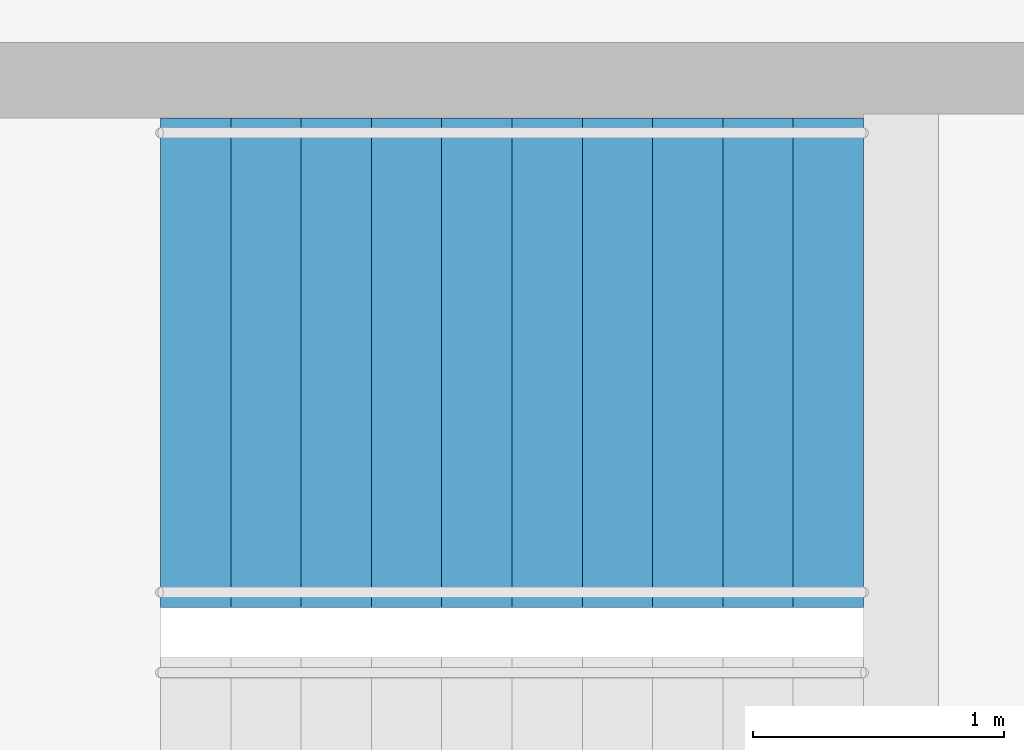
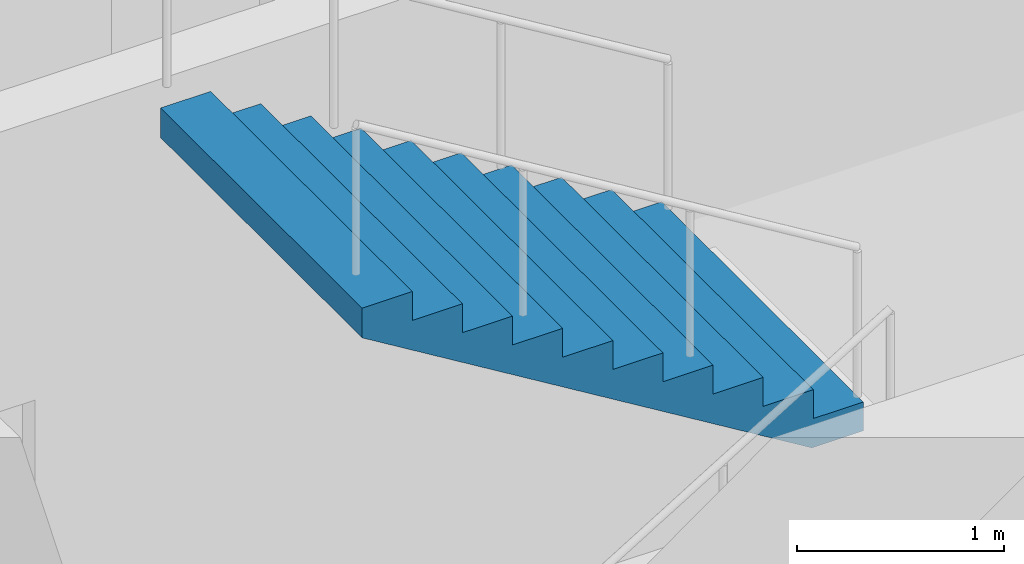
# One storey, part 20 of 23: 1 stair flight, 1 element without a shape of its own.
"""IFC4 building model written with IfcOpenShell, lengths in metres."""

from ifc_helpers import new_model, si_unit, direction, frame, origin, place, context, subcontext, project, spatial, triangles, material, type_object, element, aggregate, save


model = new_model("IFC4")

# Units and contexts
model_context = context("Model", 3, precision=1e-05, world=origin(), true_north=direction((0.0, 1.0)))
body_context = subcontext(model_context, "Body", "Model", "MODEL_VIEW")
ifc_project = project(units=[si_unit("LENGTHUNIT", "METRE"), si_unit("AREAUNIT", "SQUARE_METRE"), si_unit("VOLUMEUNIT", "CUBIC_METRE"), si_unit("PLANEANGLEUNIT", "RADIAN"), si_unit("MASSUNIT", "GRAM", prefix="KILO")], contexts=[model_context])

# Site, building, storey
site_placement = place(None, origin())
site = spatial("IfcSite", under=ifc_project, at=site_placement, CompositionType="ELEMENT")
building_placement = place(site_placement, origin())
building = spatial("IfcBuilding", under=site, at=building_placement, Name="Orbita Commons", CompositionType="ELEMENT")
storey_placement = place(building_placement, frame((0.0, 0.0, 227.800048828125)))
storey = spatial("IfcBuildingStorey", under=building, at=storey_placement, Name="L56", CompositionType="ELEMENT", Elevation=227.800048828125)

# Stair, stair flight
ifc_material_1 = material(Name="Precast concrete C40/50", Category="concrete")
stair_type = type_object("IfcStairType", Name="Exit stair S1 2 flights 11 risers 170", PredefinedType="HALF_TURN_STAIR", material=ifc_material_1)
stair_placement = place(storey_placement, origin())
stair = element("IfcStair", 1, at=stair_placement, inside=storey, type_object=stair_type, Name="Exit stair S1 L56", PredefinedType="HALF_TURN_STAIR")
ifc_material_2 = material(Name="Precast concrete C40/50", Category="concrete")
stair_flight_type = type_object("IfcStairFlightType", Name="Stair flight 11 risers 170 x 280", PredefinedType="STRAIGHT", material=ifc_material_2)
stair_flight_placement = place(storey_placement, frame((23.25, 29.27490234375, 1.875), z_axis=(0.0, 0.0, 1.0), x_axis=(-1.0, 0.0, 0.0)))
stair_flight = element("IfcStairFlight", 2, at=stair_flight_placement, type_object=stair_flight_type, Name="S1 flight 2", NumberOfRisers=11, NumberOfTreads=10, PredefinedType="STRAIGHT", RiserHeight=0.170454545, TreadLength=0.28, context=body_context, shape_type="Tessellation", body=[
    triangles([(0.0, 0.974976, 0.0), (0.0, 0.974976, 0.021307), (0.0, 0.81248, 0.021307), (0.0, 0.81248, 0.0), (0.0, 0.649984, 0.021307), (0.0, 0.649984, 0.0), (0.0, 0.487488, 0.021307), (0.0, 0.487488, 0.0), (0.0, 0.324992, 0.021307), (0.0, 0.324992, 0.0), (0.0, 0.162496, 0.021307), (0.0, 0.162496, 0.0), (0.0, 0.0, 0.021307), (0.0, 0.0, 0.0), (0.0, -0.162496, 0.021307), (0.0, -0.162496, 0.0), (0.0, -0.324992, 0.021307), (0.0, -0.324992, 0.0), (0.0, -0.487488, 0.021307), (0.0, -0.487488, 0.0), (0.0, -0.649984, 0.021307), (0.0, -0.649984, 0.0), (0.0, -0.81248, 0.021307), (0.0, -0.81248, 0.0), (0.0, -0.974976, 0.021307), (0.0, -0.974976, 0.0), (0.0, 0.974976, 0.042614), (0.0, 0.81248, 0.042614), (0.0, 0.649984, 0.042614), (0.0, 0.487488, 0.042614), (0.0, 0.324992, 0.042614), (0.0, 0.162496, 0.042614), (0.0, 0.0, 0.042614), (0.0, -0.162496, 0.042614), (0.0, -0.324992, 0.042614), (0.0, -0.487488, 0.042614), (0.0, -0.649984, 0.042614), (0.0, -0.81248, 0.042614), (0.0, -0.974976, 0.042614), (0.0, 0.974976, 0.06392), (0.0, 0.81248, 0.06392), (0.0, 0.649984, 0.06392), (0.0, 0.487488, 0.06392), (0.0, 0.324992, 0.06392), (0.0, 0.162496, 0.06392), (0.0, 0.0, 0.06392), (0.0, -0.162496, 0.06392), (0.0, -0.324992, 0.06392), (0.0, -0.487488, 0.06392), (0.0, -0.649984, 0.06392), (0.0, -0.81248, 0.06392), (0.0, -0.974976, 0.06392), (0.0, 0.974976, 0.085227), (0.0, 0.81248, 0.085227), (0.0, 0.649984, 0.085227), (0.0, 0.487488, 0.085227), (0.0, 0.324992, 0.085227), (0.0, 0.162496, 0.085227), (0.0, 0.0, 0.085227), (0.0, -0.162496, 0.085227), (0.0, -0.324992, 0.085227), (0.0, -0.487488, 0.085227), (0.0, -0.649984, 0.085227), (0.0, -0.81248, 0.085227), (0.0, -0.974976, 0.085227), (0.0, 0.974976, 0.106534), (0.0, 0.81248, 0.106534), (0.0, 0.649984, 0.106534), (0.0, 0.487488, 0.106534), (0.0, 0.324992, 0.106534), (0.0, 0.162496, 0.106534), (0.0, 0.0, 0.106534), (0.0, -0.162496, 0.106534), (0.0, -0.324992, 0.106534), (0.0, -0.487488, 0.106534), (0.0, -0.649984, 0.106534), (0.0, -0.81248, 0.106534), (0.0, -0.974976, 0.106534), (0.0, 0.974976, 0.127841), (0.0, 0.81248, 0.127841), (0.0, 0.649984, 0.127841), (0.0, 0.487488, 0.127841), (0.0, 0.324992, 0.127841), (0.0, 0.162496, 0.127841), (0.0, 0.0, 0.127841), (0.0, -0.162496, 0.127841), (0.0, -0.324992, 0.127841), (0.0, -0.487488, 0.127841), (0.0, -0.649984, 0.127841), (0.0, -0.81248, 0.127841), (0.0, -0.974976, 0.127841), (0.0, 0.974976, 0.149148), (0.0, 0.81248, 0.149148), (0.0, 0.649984, 0.149148), (0.0, 0.487488, 0.149148), (0.0, 0.324992, 0.149148), (0.0, 0.162496, 0.149148), (0.0, 0.0, 0.149148), (0.0, -0.162496, 0.149148), (0.0, -0.324992, 0.149148), (0.0, -0.487488, 0.149148), (0.0, -0.649984, 0.149148), (0.0, -0.81248, 0.149148), (0.0, -0.974976, 0.149148), (0.0, 0.974976, 0.170455), (0.0, 0.81248, 0.170455), (0.0, 0.649984, 0.170455), (0.0, 0.487488, 0.170455), (0.0, 0.324992, 0.170455), (0.0, 0.162496, 0.170455), (0.0, 0.0, 0.170455), (0.0, -0.162496, 0.170455), (0.0, -0.324992, 0.170455), (0.0, -0.487488, 0.170455), (0.0, -0.649984, 0.170455), (0.0, -0.81248, 0.170455), (0.0, -0.974976, 0.170455), (0.28, 0.974976, 0.170455), (0.28, 0.81248, 0.170455), (0.28, 0.649984, 0.170455), (0.28, 0.487488, 0.170455), (0.28, 0.324992, 0.170455), (0.28, 0.162496, 0.170455), (0.28, 0.0, 0.170455), (0.28, -0.162496, 0.170455), (0.28, -0.324992, 0.170455), (0.28, -0.487488, 0.170455), (0.28, -0.649984, 0.170455), (0.28, -0.81248, 0.170455), (0.28, -0.974976, 0.170455), (0.28, 0.974976, 0.340909), (0.28, 0.81248, 0.340909), (0.28, 0.649984, 0.340909), (0.28, 0.487488, 0.340909), (0.28, 0.324992, 0.340909), (0.28, 0.162496, 0.340909), (0.28, 0.0, 0.340909), (0.28, -0.162496, 0.340909), (0.28, -0.324992, 0.340909), (0.28, -0.487488, 0.340909), (0.28, -0.649984, 0.340909), (0.28, -0.81248, 0.340909), (0.28, -0.974976, 0.340909), (0.56, 0.974976, 0.340909), (0.56, 0.81248, 0.340909), (0.56, 0.649984, 0.340909), (0.56, 0.487488, 0.340909), (0.56, 0.324992, 0.340909), (0.56, 0.162496, 0.340909), (0.56, 0.0, 0.340909), (0.56, -0.162496, 0.340909), (0.56, -0.324992, 0.340909), (0.56, -0.487488, 0.340909), (0.56, -0.649984, 0.340909), (0.56, -0.81248, 0.340909), (0.56, -0.974976, 0.340909), (0.56, 0.974976, 0.511364), (0.56, 0.81248, 0.511364), (0.56, 0.649984, 0.511364), (0.56, 0.487488, 0.511364), (0.56, 0.324992, 0.511364), (0.56, 0.162496, 0.511364), (0.56, 0.0, 0.511364), (0.56, -0.162496, 0.511364), (0.56, -0.324992, 0.511364), (0.56, -0.487488, 0.511364), (0.56, -0.649984, 0.511364), (0.56, -0.81248, 0.511364), (0.56, -0.974976, 0.511364), (0.84, 0.974976, 0.511364), (0.84, 0.81248, 0.511364), (0.84, 0.649984, 0.511364), (0.84, 0.487488, 0.511364), (0.84, 0.324992, 0.511364), (0.84, 0.162496, 0.511364), (0.84, 0.0, 0.511364), (0.84, -0.162496, 0.511364), (0.84, -0.324992, 0.511364), (0.84, -0.487488, 0.511364), (0.84, -0.649984, 0.511364), (0.84, -0.81248, 0.511364), (0.84, -0.974976, 0.511364), (0.84, 0.974976, 0.681818), (0.84, 0.81248, 0.681818), (0.84, 0.649984, 0.681818), (0.84, 0.487488, 0.681818), (0.84, 0.324992, 0.681818), (0.84, 0.162496, 0.681818), (0.84, 0.0, 0.681818), (0.84, -0.162496, 0.681818), (0.84, -0.324992, 0.681818), (0.84, -0.487488, 0.681818), (0.84, -0.649984, 0.681818), (0.84, -0.81248, 0.681818), (0.84, -0.974976, 0.681818), (1.12, 0.974976, 0.681818), (1.12, 0.81248, 0.681818), (1.12, 0.649984, 0.681818), (1.12, 0.487488, 0.681818), (1.12, 0.324992, 0.681818), (1.12, 0.162496, 0.681818), (1.12, 0.0, 0.681818), (1.12, -0.162496, 0.681818), (1.12, -0.324992, 0.681818), (1.12, -0.487488, 0.681818), (1.12, -0.649984, 0.681818), (1.12, -0.81248, 0.681818), (1.12, -0.974976, 0.681818), (1.12, 0.974976, 0.852273), (1.12, 0.81248, 0.852273), (1.12, 0.649984, 0.852273), (1.12, 0.487488, 0.852273), (1.12, 0.324992, 0.852273), (1.12, 0.162496, 0.852273), (1.12, 0.0, 0.852273), (1.12, -0.162496, 0.852273), (1.12, -0.324992, 0.852273), (1.12, -0.487488, 0.852273), (1.12, -0.649984, 0.852273), (1.12, -0.81248, 0.852273), (1.12, -0.974976, 0.852273), (1.4, 0.974976, 0.852273), (1.4, 0.81248, 0.852273), (1.4, 0.649984, 0.852273), (1.4, 0.487488, 0.852273), (1.4, 0.324992, 0.852273), (1.4, 0.162496, 0.852273), (1.4, 0.0, 0.852273), (1.4, -0.162496, 0.852273), (1.4, -0.324992, 0.852273), (1.4, -0.487488, 0.852273), (1.4, -0.649984, 0.852273), (1.4, -0.81248, 0.852273), (1.4, -0.974976, 0.852273), (1.4, 0.974976, 1.022727), (1.4, 0.81248, 1.022727), (1.4, 0.649984, 1.022727), (1.4, 0.487488, 1.022727), (1.4, 0.324992, 1.022727), (1.4, 0.162496, 1.022727), (1.4, 0.0, 1.022727), (1.4, -0.162496, 1.022727), (1.4, -0.324992, 1.022727), (1.4, -0.487488, 1.022727), (1.4, -0.649984, 1.022727), (1.4, -0.81248, 1.022727), (1.4, -0.974976, 1.022727), (1.68, 0.974976, 1.022727), (1.68, 0.81248, 1.022727), (1.68, 0.649984, 1.022727), (1.68, 0.487488, 1.022727), (1.68, 0.324992, 1.022727), (1.68, 0.162496, 1.022727), (1.68, 0.0, 1.022727), (1.68, -0.162496, 1.022727), (1.68, -0.324992, 1.022727), (1.68, -0.487488, 1.022727), (1.68, -0.649984, 1.022727), (1.68, -0.81248, 1.022727), (1.68, -0.974976, 1.022727), (1.68, 0.974976, 1.193182), (1.68, 0.81248, 1.193182), (1.68, 0.649984, 1.193182), (1.68, 0.487488, 1.193182), (1.68, 0.324992, 1.193182), (1.68, 0.162496, 1.193182), (1.68, 0.0, 1.193182), (1.68, -0.162496, 1.193182), (1.68, -0.324992, 1.193182), (1.68, -0.487488, 1.193182), (1.68, -0.649984, 1.193182), (1.68, -0.81248, 1.193182), (1.68, -0.974976, 1.193182), (1.96, 0.974976, 1.193182), (1.96, 0.81248, 1.193182), (1.96, 0.649984, 1.193182), (1.96, 0.487488, 1.193182), (1.96, 0.324992, 1.193182), (1.96, 0.162496, 1.193182), (1.96, 0.0, 1.193182), (1.96, -0.162496, 1.193182), (1.96, -0.324992, 1.193182), (1.96, -0.487488, 1.193182), (1.96, -0.649984, 1.193182), (1.96, -0.81248, 1.193182), (1.96, -0.974976, 1.193182), (1.96, 0.974976, 1.363636), (1.96, 0.81248, 1.363636), (1.96, 0.649984, 1.363636), (1.96, 0.487488, 1.363636), (1.96, 0.324992, 1.363636), (1.96, 0.162496, 1.363636), (1.96, 0.0, 1.363636), (1.96, -0.162496, 1.363636), (1.96, -0.324992, 1.363636), (1.96, -0.487488, 1.363636), (1.96, -0.649984, 1.363636), (1.96, -0.81248, 1.363636), (1.96, -0.974976, 1.363636), (2.24, 0.974976, 1.363636), (2.24, 0.81248, 1.363636), (2.24, 0.649984, 1.363636), (2.24, 0.487488, 1.363636), (2.24, 0.324992, 1.363636), (2.24, 0.162496, 1.363636), (2.24, 0.0, 1.363636), (2.24, -0.162496, 1.363636), (2.24, -0.324992, 1.363636), (2.24, -0.487488, 1.363636), (2.24, -0.649984, 1.363636), (2.24, -0.81248, 1.363636), (2.24, -0.974976, 1.363636), (2.24, 0.974976, 1.534091), (2.24, 0.81248, 1.534091), (2.24, 0.649984, 1.534091), (2.24, 0.487488, 1.534091), (2.24, 0.324992, 1.534091), (2.24, 0.162496, 1.534091), (2.24, 0.0, 1.534091), (2.24, -0.162496, 1.534091), (2.24, -0.324992, 1.534091), (2.24, -0.487488, 1.534091), (2.24, -0.649984, 1.534091), (2.24, -0.81248, 1.534091), (2.24, -0.974976, 1.534091), (2.52, 0.974976, 1.534091), (2.52, 0.81248, 1.534091), (2.52, 0.649984, 1.534091), (2.52, 0.487488, 1.534091), (2.52, 0.324992, 1.534091), (2.52, 0.162496, 1.534091), (2.52, 0.0, 1.534091), (2.52, -0.162496, 1.534091), (2.52, -0.324992, 1.534091), (2.52, -0.487488, 1.534091), (2.52, -0.649984, 1.534091), (2.52, -0.81248, 1.534091), (2.52, -0.974976, 1.534091), (2.52, 0.974976, 1.704545), (2.52, 0.81248, 1.704545), (2.52, 0.649984, 1.704545), (2.52, 0.487488, 1.704545), (2.52, 0.324992, 1.704545), (2.52, 0.162496, 1.704545), (2.52, 0.0, 1.704545), (2.52, -0.162496, 1.704545), (2.52, -0.324992, 1.704545), (2.52, -0.487488, 1.704545), (2.52, -0.649984, 1.704545), (2.52, -0.81248, 1.704545), (2.52, -0.974976, 1.704545), (2.8, 0.974976, 1.704545), (2.8, 0.81248, 1.704545), (2.8, 0.649984, 1.704545), (2.8, 0.487488, 1.704545), (2.8, 0.324992, 1.704545), (2.8, 0.162496, 1.704545), (2.8, 0.0, 1.704545), (2.8, -0.162496, 1.704545), (2.8, -0.324992, 1.704545), (2.8, -0.487488, 1.704545), (2.8, -0.649984, 1.704545), (2.8, -0.81248, 1.704545), (2.8, -0.974976, 1.704545), (2.8, 0.974976, 1.682609), (2.8, 0.81248, 1.682609), (2.8, 0.649984, 1.682609), (2.8, 0.487488, 1.682609), (2.8, 0.324992, 1.682609), (2.8, 0.162496, 1.682609), (2.8, 0.0, 1.682609), (2.8, -0.162496, 1.682609), (2.8, -0.324992, 1.682609), (2.8, -0.487488, 1.682609), (2.8, -0.649984, 1.682609), (2.8, -0.81248, 1.682609), (2.8, -0.974976, 1.682609), (2.8, 0.974976, 1.660672), (2.8, 0.81248, 1.660672), (2.8, 0.649984, 1.660672), (2.8, 0.487488, 1.660672), (2.8, 0.324992, 1.660672), (2.8, 0.162496, 1.660672), (2.8, 0.0, 1.660672), (2.8, -0.162496, 1.660672), (2.8, -0.324992, 1.660672), (2.8, -0.487488, 1.660672), (2.8, -0.649984, 1.660672), (2.8, -0.81248, 1.660672), (2.8, -0.974976, 1.660672), (2.8, 0.974976, 1.638735), (2.8, 0.81248, 1.638735), (2.8, 0.649984, 1.638735), (2.8, 0.487488, 1.638735), (2.8, 0.324992, 1.638735), (2.8, 0.162496, 1.638735), (2.8, 0.0, 1.638735), (2.8, -0.162496, 1.638735), (2.8, -0.324992, 1.638735), (2.8, -0.487488, 1.638735), (2.8, -0.649984, 1.638735), (2.8, -0.81248, 1.638735), (2.8, -0.974976, 1.638735), (2.8, 0.974976, 1.616798), (2.8, 0.81248, 1.616798), (2.8, 0.649984, 1.616798), (2.8, 0.487488, 1.616798), (2.8, 0.324992, 1.616798), (2.8, 0.162496, 1.616798), (2.8, 0.0, 1.616798), (2.8, -0.162496, 1.616798), (2.8, -0.324992, 1.616798), (2.8, -0.487488, 1.616798), (2.8, -0.649984, 1.616798), (2.8, -0.81248, 1.616798), (2.8, -0.974976, 1.616798), (2.8, 0.974976, 1.594861), (2.8, 0.81248, 1.594861), (2.8, 0.649984, 1.594861), (2.8, 0.487488, 1.594861), (2.8, 0.324992, 1.594861), (2.8, 0.162496, 1.594861), (2.8, 0.0, 1.594861), (2.8, -0.162496, 1.594861), (2.8, -0.324992, 1.594861), (2.8, -0.487488, 1.594861), (2.8, -0.649984, 1.594861), (2.8, -0.81248, 1.594861), (2.8, -0.974976, 1.594861), (2.8, 0.974976, 1.572925), (2.8, 0.81248, 1.572925), (2.8, 0.649984, 1.572925), (2.8, 0.487488, 1.572925), (2.8, 0.324992, 1.572925), (2.8, 0.162496, 1.572925), (2.8, 0.0, 1.572925), (2.8, -0.162496, 1.572925), (2.8, -0.324992, 1.572925), (2.8, -0.487488, 1.572925), (2.8, -0.649984, 1.572925), (2.8, -0.81248, 1.572925), (2.8, -0.974976, 1.572925), (2.8, 0.974976, 1.550988), (2.8, 0.81248, 1.550988), (2.8, 0.649984, 1.550988), (2.8, 0.487488, 1.550988), (2.8, 0.324992, 1.550988), (2.8, 0.162496, 1.550988), (2.8, 0.0, 1.550988), (2.8, -0.162496, 1.550988), (2.8, -0.324992, 1.550988), (2.8, -0.487488, 1.550988), (2.8, -0.649984, 1.550988), (2.8, -0.81248, 1.550988), (2.8, -0.974976, 1.550988), (2.8, 0.974976, 1.529051), (2.8, 0.81248, 1.529051), (2.8, 0.649984, 1.529051), (2.8, 0.487488, 1.529051), (2.8, 0.324992, 1.529051), (2.8, 0.162496, 1.529051), (2.8, 0.0, 1.529051), (2.8, -0.162496, 1.529051), (2.8, -0.324992, 1.529051), (2.8, -0.487488, 1.529051), (2.8, -0.649984, 1.529051), (2.8, -0.81248, 1.529051), (2.8, -0.974976, 1.529051), (0.288279, 0.974976, 0.0), (0.288279, 0.81248, 0.0), (0.288279, 0.649984, 0.0), (0.288279, 0.487488, 0.0), (0.288279, 0.324992, 0.0), (0.288279, 0.162496, 0.0), (0.288279, 0.0, 0.0), (0.288279, -0.162496, 0.0), (0.288279, -0.324992, 0.0), (0.288279, -0.487488, 0.0), (0.288279, -0.649984, 0.0), (0.288279, -0.81248, 0.0), (0.288279, -0.974976, 0.0)], [[3, 2, 1], [4, 3, 1], [5, 3, 4], [6, 5, 4], [7, 5, 6], [8, 7, 6], [9, 7, 8], [10, 9, 8], [11, 9, 10], [12, 11, 10], [13, 11, 12], [14, 13, 12], [15, 13, 14], [16, 15, 14], [17, 15, 16], [18, 17, 16], [19, 17, 18], [20, 19, 18], [21, 19, 20], [22, 21, 20], [23, 21, 22], [24, 23, 22], [25, 23, 24], [26, 25, 24], [28, 27, 2], [3, 28, 2], [29, 28, 3], [5, 29, 3], [30, 29, 5], [7, 30, 5], [31, 30, 7], [9, 31, 7], [32, 31, 9], [11, 32, 9], [33, 32, 11], [13, 33, 11], [34, 33, 13], [15, 34, 13], [35, 34, 15], [17, 35, 15], [36, 35, 17], [19, 36, 17], [37, 36, 19], [21, 37, 19], [38, 37, 21], [23, 38, 21], [39, 38, 23], [25, 39, 23], [41, 40, 27], [28, 41, 27], [42, 41, 28], [29, 42, 28], [43, 42, 29], [30, 43, 29], [44, 43, 30], [31, 44, 30], [45, 44, 31], [32, 45, 31], [46, 45, 32], [33, 46, 32], [47, 46, 33], [34, 47, 33], [48, 47, 34], [35, 48, 34], [49, 48, 35], [36, 49, 35], [50, 49, 36], [37, 50, 36], [51, 50, 37], [38, 51, 37], [52, 51, 38], [39, 52, 38], [54, 53, 40], [41, 54, 40], [55, 54, 41], [42, 55, 41], [56, 55, 42], [43, 56, 42], [57, 56, 43], [44, 57, 43], [58, 57, 44], [45, 58, 44], [59, 58, 45], [46, 59, 45], [60, 59, 46], [47, 60, 46], [61, 60, 47], [48, 61, 47], [62, 61, 48], [49, 62, 48], [63, 62, 49], [50, 63, 49], [64, 63, 50], [51, 64, 50], [65, 64, 51], [52, 65, 51], [67, 66, 53], [54, 67, 53], [68, 67, 54], [55, 68, 54], [69, 68, 55], [56, 69, 55], [70, 69, 56], [57, 70, 56], [71, 70, 57], [58, 71, 57], [72, 71, 58], [59, 72, 58], [73, 72, 59], [60, 73, 59], [74, 73, 60], [61, 74, 60], [75, 74, 61], [62, 75, 61], [76, 75, 62], [63, 76, 62], [77, 76, 63], [64, 77, 63], [78, 77, 64], [65, 78, 64], [80, 79, 66], [67, 80, 66], [81, 80, 67], [68, 81, 67], [82, 81, 68], [69, 82, 68], [83, 82, 69], [70, 83, 69], [84, 83, 70], [71, 84, 70], [85, 84, 71], [72, 85, 71], [86, 85, 72], [73, 86, 72], [87, 86, 73], [74, 87, 73], [88, 87, 74], [75, 88, 74], [89, 88, 75], [76, 89, 75], [90, 89, 76], [77, 90, 76], [91, 90, 77], [78, 91, 77], [93, 92, 79], [80, 93, 79], [94, 93, 80], [81, 94, 80], [95, 94, 81], [82, 95, 81], [96, 95, 82], [83, 96, 82], [97, 96, 83], [84, 97, 83], [98, 97, 84], [85, 98, 84], [99, 98, 85], [86, 99, 85], [100, 99, 86], [87, 100, 86], [101, 100, 87], [88, 101, 87], [102, 101, 88], [89, 102, 88], [103, 102, 89], [90, 103, 89], [104, 103, 90], [91, 104, 90], [106, 105, 92], [93, 106, 92], [107, 106, 93], [94, 107, 93], [108, 107, 94], [95, 108, 94], [109, 108, 95], [96, 109, 95], [110, 109, 96], [97, 110, 96], [111, 110, 97], [98, 111, 97], [112, 111, 98], [99, 112, 98], [113, 112, 99], [100, 113, 99], [114, 113, 100], [101, 114, 100], [115, 114, 101], [102, 115, 101], [116, 115, 102], [103, 116, 102], [117, 116, 103], [104, 117, 103], [119, 118, 105], [106, 119, 105], [120, 119, 106], [107, 120, 106], [121, 120, 107], [108, 121, 107], [122, 121, 108], [109, 122, 108], [123, 122, 109], [110, 123, 109], [124, 123, 110], [111, 124, 110], [125, 124, 111], [112, 125, 111], [126, 125, 112], [113, 126, 112], [127, 126, 113], [114, 127, 113], [128, 127, 114], [115, 128, 114], [129, 128, 115], [116, 129, 115], [130, 129, 116], [117, 130, 116], [132, 131, 118], [119, 132, 118], [133, 132, 119], [120, 133, 119], [134, 133, 120], [121, 134, 120], [135, 134, 121], [122, 135, 121], [136, 135, 122], [123, 136, 122], [137, 136, 123], [124, 137, 123], [138, 137, 124], [125, 138, 124], [139, 138, 125], [126, 139, 125], [140, 139, 126], [127, 140, 126], [141, 140, 127], [128, 141, 127], [142, 141, 128], [129, 142, 128], [143, 142, 129], [130, 143, 129], [145, 144, 131], [132, 145, 131], [146, 145, 132], [133, 146, 132], [147, 146, 133], [134, 147, 133], [148, 147, 134], [135, 148, 134], [149, 148, 135], [136, 149, 135], [150, 149, 136], [137, 150, 136], [151, 150, 137], [138, 151, 137], [152, 151, 138], [139, 152, 138], [153, 152, 139], [140, 153, 139], [154, 153, 140], [141, 154, 140], [155, 154, 141], [142, 155, 141], [156, 155, 142], [143, 156, 142], [158, 157, 144], [145, 158, 144], [159, 158, 145], [146, 159, 145], [160, 159, 146], [147, 160, 146], [161, 160, 147], [148, 161, 147], [162, 161, 148], [149, 162, 148], [163, 162, 149], [150, 163, 149], [164, 163, 150], [151, 164, 150], [165, 164, 151], [152, 165, 151], [166, 165, 152], [153, 166, 152], [167, 166, 153], [154, 167, 153], [168, 167, 154], [155, 168, 154], [169, 168, 155], [156, 169, 155], [171, 170, 157], [158, 171, 157], [172, 171, 158], [159, 172, 158], [173, 172, 159], [160, 173, 159], [174, 173, 160], [161, 174, 160], [175, 174, 161], [162, 175, 161], [176, 175, 162], [163, 176, 162], [177, 176, 163], [164, 177, 163], [178, 177, 164], [165, 178, 164], [179, 178, 165], [166, 179, 165], [180, 179, 166], [167, 180, 166], [181, 180, 167], [168, 181, 167], [182, 181, 168], [169, 182, 168], [184, 183, 170], [171, 184, 170], [185, 184, 171], [172, 185, 171], [186, 185, 172], [173, 186, 172], [187, 186, 173], [174, 187, 173], [188, 187, 174], [175, 188, 174], [189, 188, 175], [176, 189, 175], [190, 189, 176], [177, 190, 176], [191, 190, 177], [178, 191, 177], [192, 191, 178], [179, 192, 178], [193, 192, 179], [180, 193, 179], [194, 193, 180], [181, 194, 180], [195, 194, 181], [182, 195, 181], [197, 196, 183], [184, 197, 183], [198, 197, 184], [185, 198, 184], [199, 198, 185], [186, 199, 185], [200, 199, 186], [187, 200, 186], [201, 200, 187], [188, 201, 187], [202, 201, 188], [189, 202, 188], [203, 202, 189], [190, 203, 189], [204, 203, 190], [191, 204, 190], [205, 204, 191], [192, 205, 191], [206, 205, 192], [193, 206, 192], [207, 206, 193], [194, 207, 193], [208, 207, 194], [195, 208, 194], [210, 209, 196], [197, 210, 196], [211, 210, 197], [198, 211, 197], [212, 211, 198], [199, 212, 198], [213, 212, 199], [200, 213, 199], [214, 213, 200], [201, 214, 200], [215, 214, 201], [202, 215, 201], [216, 215, 202], [203, 216, 202], [217, 216, 203], [204, 217, 203], [218, 217, 204], [205, 218, 204], [219, 218, 205], [206, 219, 205], [220, 219, 206], [207, 220, 206], [221, 220, 207], [208, 221, 207], [223, 222, 209], [210, 223, 209], [224, 223, 210], [211, 224, 210], [225, 224, 211], [212, 225, 211], [226, 225, 212], [213, 226, 212], [227, 226, 213], [214, 227, 213], [228, 227, 214], [215, 228, 214], [229, 228, 215], [216, 229, 215], [230, 229, 216], [217, 230, 216], [231, 230, 217], [218, 231, 217], [232, 231, 218], [219, 232, 218], [233, 232, 219], [220, 233, 219], [234, 233, 220], [221, 234, 220], [236, 235, 222], [223, 236, 222], [237, 236, 223], [224, 237, 223], [238, 237, 224], [225, 238, 224], [239, 238, 225], [226, 239, 225], [240, 239, 226], [227, 240, 226], [241, 240, 227], [228, 241, 227], [242, 241, 228], [229, 242, 228], [243, 242, 229], [230, 243, 229], [244, 243, 230], [231, 244, 230], [245, 244, 231], [232, 245, 231], [246, 245, 232], [233, 246, 232], [247, 246, 233], [234, 247, 233], [249, 248, 235], [236, 249, 235], [250, 249, 236], [237, 250, 236], [251, 250, 237], [238, 251, 237], [252, 251, 238], [239, 252, 238], [253, 252, 239], [240, 253, 239], [254, 253, 240], [241, 254, 240], [255, 254, 241], [242, 255, 241], [256, 255, 242], [243, 256, 242], [257, 256, 243], [244, 257, 243], [258, 257, 244], [245, 258, 244], [259, 258, 245], [246, 259, 245], [260, 259, 246], [247, 260, 246], [262, 261, 248], [249, 262, 248], [263, 262, 249], [250, 263, 249], [264, 263, 250], [251, 264, 250], [265, 264, 251], [252, 265, 251], [266, 265, 252], [253, 266, 252], [267, 266, 253], [254, 267, 253], [268, 267, 254], [255, 268, 254], [269, 268, 255], [256, 269, 255], [270, 269, 256], [257, 270, 256], [271, 270, 257], [258, 271, 257], [272, 271, 258], [259, 272, 258], [273, 272, 259], [260, 273, 259], [275, 274, 261], [262, 275, 261], [276, 275, 262], [263, 276, 262], [277, 276, 263], [264, 277, 263], [278, 277, 264], [265, 278, 264], [279, 278, 265], [266, 279, 265], [280, 279, 266], [267, 280, 266], [281, 280, 267], [268, 281, 267], [282, 281, 268], [269, 282, 268], [283, 282, 269], [270, 283, 269], [284, 283, 270], [271, 284, 270], [285, 284, 271], [272, 285, 271], [286, 285, 272], [273, 286, 272], [288, 287, 274], [275, 288, 274], [289, 288, 275], [276, 289, 275], [290, 289, 276], [277, 290, 276], [291, 290, 277], [278, 291, 277], [292, 291, 278], [279, 292, 278], [293, 292, 279], [280, 293, 279], [294, 293, 280], [281, 294, 280], [295, 294, 281], [282, 295, 281], [296, 295, 282], [283, 296, 282], [297, 296, 283], [284, 297, 283], [298, 297, 284], [285, 298, 284], [299, 298, 285], [286, 299, 285], [301, 300, 287], [288, 301, 287], [302, 301, 288], [289, 302, 288], [303, 302, 289], [290, 303, 289], [304, 303, 290], [291, 304, 290], [305, 304, 291], [292, 305, 291], [306, 305, 292], [293, 306, 292], [307, 306, 293], [294, 307, 293], [308, 307, 294], [295, 308, 294], [309, 308, 295], [296, 309, 295], [310, 309, 296], [297, 310, 296], [311, 310, 297], [298, 311, 297], [312, 311, 298], [299, 312, 298], [314, 313, 300], [301, 314, 300], [315, 314, 301], [302, 315, 301], [316, 315, 302], [303, 316, 302], [317, 316, 303], [304, 317, 303], [318, 317, 304], [305, 318, 304], [319, 318, 305], [306, 319, 305], [320, 319, 306], [307, 320, 306], [321, 320, 307], [308, 321, 307], [322, 321, 308], [309, 322, 308], [323, 322, 309], [310, 323, 309], [324, 323, 310], [311, 324, 310], [325, 324, 311], [312, 325, 311], [327, 326, 313], [314, 327, 313], [328, 327, 314], [315, 328, 314], [329, 328, 315], [316, 329, 315], [330, 329, 316], [317, 330, 316], [331, 330, 317], [318, 331, 317], [332, 331, 318], [319, 332, 318], [333, 332, 319], [320, 333, 319], [334, 333, 320], [321, 334, 320], [335, 334, 321], [322, 335, 321], [336, 335, 322], [323, 336, 322], [337, 336, 323], [324, 337, 323], [338, 337, 324], [325, 338, 324], [340, 339, 326], [327, 340, 326], [341, 340, 327], [328, 341, 327], [342, 341, 328], [329, 342, 328], [343, 342, 329], [330, 343, 329], [344, 343, 330], [331, 344, 330], [345, 344, 331], [332, 345, 331], [346, 345, 332], [333, 346, 332], [347, 346, 333], [334, 347, 333], [348, 347, 334], [335, 348, 334], [349, 348, 335], [336, 349, 335], [350, 349, 336], [337, 350, 336], [351, 350, 337], [338, 351, 337], [353, 352, 339], [340, 353, 339], [354, 353, 340], [341, 354, 340], [355, 354, 341], [342, 355, 341], [356, 355, 342], [343, 356, 342], [357, 356, 343], [344, 357, 343], [358, 357, 344], [345, 358, 344], [359, 358, 345], [346, 359, 345], [360, 359, 346], [347, 360, 346], [361, 360, 347], [348, 361, 347], [362, 361, 348], [349, 362, 348], [363, 362, 349], [350, 363, 349], [364, 363, 350], [351, 364, 350], [366, 365, 352], [353, 366, 352], [367, 366, 353], [354, 367, 353], [368, 367, 354], [355, 368, 354], [369, 368, 355], [356, 369, 355], [370, 369, 356], [357, 370, 356], [371, 370, 357], [358, 371, 357], [372, 371, 358], [359, 372, 358], [373, 372, 359], [360, 373, 359], [374, 373, 360], [361, 374, 360], [375, 374, 361], [362, 375, 361], [376, 375, 362], [363, 376, 362], [377, 376, 363], [364, 377, 363], [379, 378, 365], [366, 379, 365], [380, 379, 366], [367, 380, 366], [381, 380, 367], [368, 381, 367], [382, 381, 368], [369, 382, 368], [383, 382, 369], [370, 383, 369], [384, 383, 370], [371, 384, 370], [385, 384, 371], [372, 385, 371], [386, 385, 372], [373, 386, 372], [387, 386, 373], [374, 387, 373], [388, 387, 374], [375, 388, 374], [389, 388, 375], [376, 389, 375], [390, 389, 376], [377, 390, 376], [392, 391, 378], [379, 392, 378], [393, 392, 379], [380, 393, 379], [394, 393, 380], [381, 394, 380], [395, 394, 381], [382, 395, 381], [396, 395, 382], [383, 396, 382], [397, 396, 383], [384, 397, 383], [398, 397, 384], [385, 398, 384], [399, 398, 385], [386, 399, 385], [400, 399, 386], [387, 400, 386], [401, 400, 387], [388, 401, 387], [402, 401, 388], [389, 402, 388], [403, 402, 389], [390, 403, 389], [405, 404, 391], [392, 405, 391], [406, 405, 392], [393, 406, 392], [407, 406, 393], [394, 407, 393], [408, 407, 394], [395, 408, 394], [409, 408, 395], [396, 409, 395], [410, 409, 396], [397, 410, 396], [411, 410, 397], [398, 411, 397], [412, 411, 398], [399, 412, 398], [413, 412, 399], [400, 413, 399], [414, 413, 400], [401, 414, 400], [415, 414, 401], [402, 415, 401], [416, 415, 402], [403, 416, 402], [418, 417, 404], [405, 418, 404], [419, 418, 405], [406, 419, 405], [420, 419, 406], [407, 420, 406], [421, 420, 407], [408, 421, 407], [422, 421, 408], [409, 422, 408], [423, 422, 409], [410, 423, 409], [424, 423, 410], [411, 424, 410], [425, 424, 411], [412, 425, 411], [426, 425, 412], [413, 426, 412], [427, 426, 413], [414, 427, 413], [428, 427, 414], [415, 428, 414], [429, 428, 415], [416, 429, 415], [431, 430, 417], [418, 431, 417], [432, 431, 418], [419, 432, 418], [433, 432, 419], [420, 433, 419], [434, 433, 420], [421, 434, 420], [435, 434, 421], [422, 435, 421], [436, 435, 422], [423, 436, 422], [437, 436, 423], [424, 437, 423], [438, 437, 424], [425, 438, 424], [439, 438, 425], [426, 439, 425], [440, 439, 426], [427, 440, 426], [441, 440, 427], [428, 441, 427], [442, 441, 428], [429, 442, 428], [444, 443, 430], [431, 444, 430], [445, 444, 431], [432, 445, 431], [446, 445, 432], [433, 446, 432], [447, 446, 433], [434, 447, 433], [448, 447, 434], [435, 448, 434], [449, 448, 435], [436, 449, 435], [450, 449, 436], [437, 450, 436], [451, 450, 437], [438, 451, 437], [452, 451, 438], [439, 452, 438], [453, 452, 439], [440, 453, 439], [454, 453, 440], [441, 454, 440], [455, 454, 441], [442, 455, 441], [457, 456, 443], [444, 457, 443], [458, 457, 444], [445, 458, 444], [459, 458, 445], [446, 459, 445], [460, 459, 446], [447, 460, 446], [461, 460, 447], [448, 461, 447], [462, 461, 448], [449, 462, 448], [463, 462, 449], [450, 463, 449], [464, 463, 450], [451, 464, 450], [465, 464, 451], [452, 465, 451], [466, 465, 452], [453, 466, 452], [467, 466, 453], [454, 467, 453], [468, 467, 454], [455, 468, 454], [470, 469, 456], [457, 470, 456], [471, 470, 457], [458, 471, 457], [472, 471, 458], [459, 472, 458], [473, 472, 459], [460, 473, 459], [474, 473, 460], [461, 474, 460], [475, 474, 461], [462, 475, 461], [476, 475, 462], [463, 476, 462], [477, 476, 463], [464, 477, 463], [478, 477, 464], [465, 478, 464], [479, 478, 465], [466, 479, 465], [480, 479, 466], [467, 480, 466], [481, 480, 467], [468, 481, 467], [4, 1, 469], [470, 4, 469], [6, 4, 470], [471, 6, 470], [8, 6, 471], [472, 8, 471], [10, 8, 472], [473, 10, 472], [12, 10, 473], [474, 12, 473], [14, 12, 474], [475, 14, 474], [16, 14, 475], [476, 16, 475], [18, 16, 476], [477, 18, 476], [20, 18, 477], [478, 20, 477], [22, 20, 478], [479, 22, 478], [24, 22, 479], [480, 24, 479], [26, 24, 480], [481, 26, 480], [456, 469, 1], [26, 481, 468], [443, 456, 1], [26, 468, 455], [430, 443, 1], [26, 455, 442], [417, 430, 1], [26, 442, 429], [404, 417, 1], [26, 429, 416], [391, 404, 1], [26, 416, 403], [378, 391, 1], [26, 403, 390], [365, 378, 1], [26, 390, 377], [339, 352, 365], [377, 364, 351], [326, 339, 365], [377, 351, 338], [300, 313, 326], [338, 325, 312], [300, 326, 365], [377, 338, 312], [274, 287, 300], [312, 299, 286], [274, 300, 365], [377, 312, 286], [248, 261, 274], [286, 273, 260], [248, 274, 365], [377, 286, 260], [222, 235, 248], [260, 247, 234], [222, 248, 365], [377, 260, 234], [196, 209, 222], [234, 221, 208], [196, 222, 365], [377, 234, 208], [170, 183, 196], [208, 195, 182], [170, 196, 365], [377, 208, 182], [144, 157, 170], [182, 169, 156], [144, 170, 365], [377, 182, 156], [118, 131, 144], [156, 143, 130], [118, 144, 365], [377, 156, 130], [118, 365, 1], [26, 377, 130], [92, 105, 118], [130, 117, 104], [79, 92, 118], [130, 104, 91], [66, 79, 118], [130, 91, 78], [53, 66, 118], [130, 78, 65], [40, 53, 118], [130, 65, 52], [27, 40, 118], [130, 52, 39], [2, 27, 118], [130, 39, 25], [1, 2, 118], [130, 25, 26]], closed=True),
])
aggregate(stair, [stair_flight])

save(model, "model.ifc")
